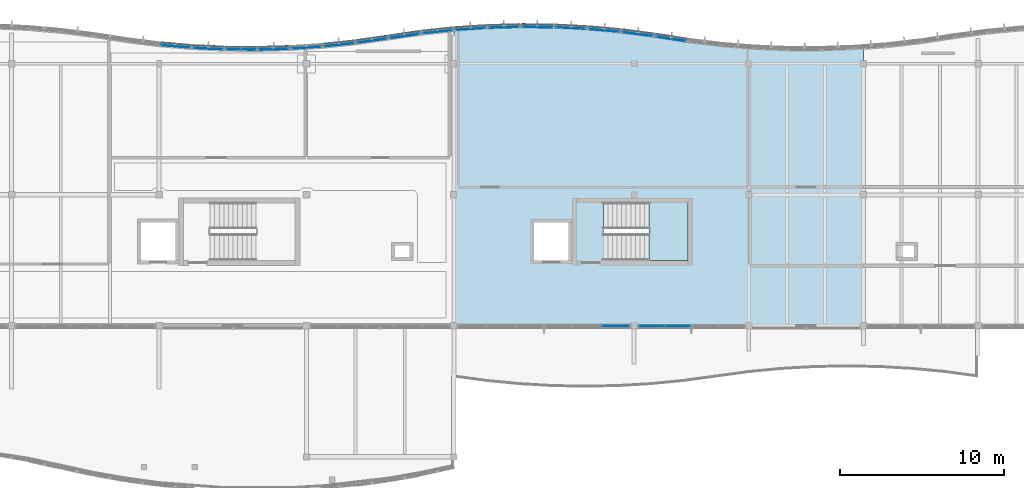
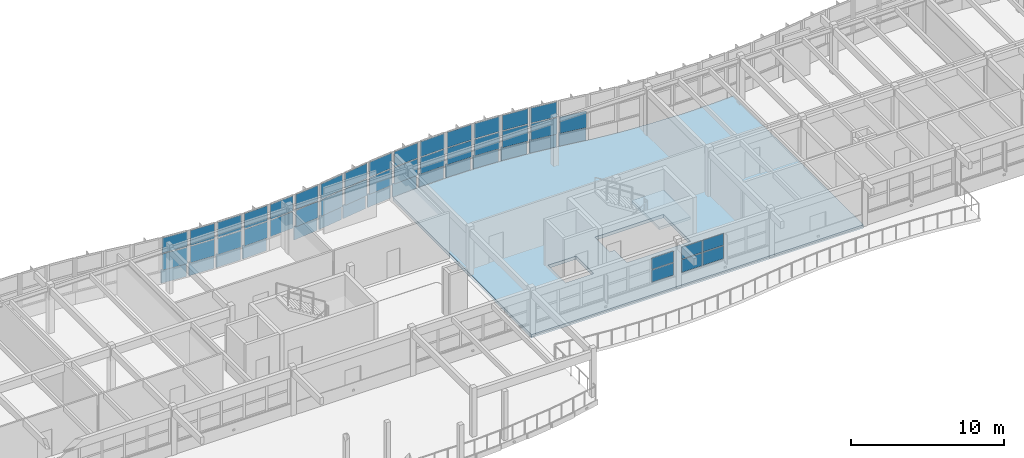
# One storey, part 34 of 63: 52 plates, 2 slabs, 19 elements without a shape of their own.
"""IFC4 building model written with IfcOpenShell, lengths in metres."""

from ifc_helpers import new_model, si_unit, direction, frame, origin, origin_2d, place, context, subcontext, project, spatial, polyline, rectangle, outline, extrude, material, layer, layer_set, type_object, element, aggregate, save


model = new_model("IFC4")

# Units and contexts
model_context = context("Model", 3, precision=1e-05, world=origin(), true_north=direction((0.0, 1.0)))
body_context = subcontext(model_context, "Body", "Model", "MODEL_VIEW")
ifc_project = project(units=[si_unit("LENGTHUNIT", "METRE"), si_unit("AREAUNIT", "SQUARE_METRE"), si_unit("VOLUMEUNIT", "CUBIC_METRE"), si_unit("PLANEANGLEUNIT", "RADIAN"), si_unit("MASSUNIT", "GRAM", prefix="KILO")], contexts=[model_context])

# Site, building, storey
site_placement = place(None, origin())
site = spatial("IfcSite", under=ifc_project, at=site_placement, CompositionType="ELEMENT")
building_placement = place(site_placement, origin())
building = spatial("IfcBuilding", under=site, at=building_placement, Name="Tonlespit Floodbar School", CompositionType="ELEMENT")
storey_placement = place(building_placement, frame((0.0, 0.0, 8.39990234375)))
storey = spatial("IfcBuildingStorey", under=building, at=storey_placement, Name="L02", CompositionType="ELEMENT", Elevation=8.39990234375)

# Curtain wall, plates
ifc_material_1 = material(Name="Anodised Aluminium", Category="aluminium")
ifc_layer_1 = layer(ifc_material_1, 0.159912109375)
ifc_layer_set_1 = layer_set([ifc_layer_1], Name="Anodised Aluminium")
curtain_wall_type_1 = type_object("IfcCurtainWallType", Name="CurtainWall_1950x2700", PredefinedType="NOTDEFINED", material=ifc_layer_set_1)
curtain_wall_1_placement = place(storey_placement, origin())
curtain_wall_1 = element("IfcCurtainWall", 1, at=curtain_wall_1_placement, inside=storey, type_object=curtain_wall_type_1, Name="L02 unitised curtain wall 0109", PredefinedType="NOTDEFINED")
ifc_material_2 = material(Name="Laminated Low-E Glass", Category="glass")
ifc_layer_2 = layer(ifc_material_2, 0.028076171875)
ifc_layer_set_2 = layer_set([ifc_layer_2], Name="Laminated Low-E Glass")
plate_type_1 = type_object("IfcPlateType", Name="CW_Panel_Glaz_28", PredefinedType="CURTAIN_PANEL", material=ifc_layer_set_2)
plate_1_placement = place(storey_placement, frame((99.0, 121.055419921875, 1.01513671875), z_axis=(0.0, 0.0, 1.0), x_axis=(0.996249148412, -0.086531117454, 0.0)))
plate_1 = element("IfcPlate", 2, at=plate_1_placement, type_object=plate_type_1, Name="CW-04 panel 1.1", PredefinedType="CURTAIN_PANEL", context=body_context, shape_type="SweptSolid", body=[
    extrude(rectangle(XDim=1.797607421875, YDim=0.028076171875, at=origin_2d()), origin(), (0.0, 0.0, 1.0), 1.306396484375),
])
plate_2_placement = place(storey_placement, frame((99.0, 121.055419921875, 2.38671875), z_axis=(0.0, 0.0, 1.0), x_axis=(0.996249148412, -0.086531117454, 0.0)))
plate_2 = element("IfcPlate", 3, at=plate_2_placement, type_object=plate_type_1, Name="CW-04 panel 1.2", PredefinedType="CURTAIN_PANEL", context=body_context, shape_type="SweptSolid", body=[
    extrude(rectangle(XDim=1.797607421875, YDim=0.028076171875, at=origin_2d()), origin(), (0.0, 0.0, 1.0), 1.198486328125),
])
aggregate(curtain_wall_1, [plate_1, plate_2])

ifc_layer_3 = layer(ifc_material_1, 0.159912109375)
ifc_layer_set_3 = layer_set([ifc_layer_3], Name="Anodised Aluminium")
curtain_wall_type_2 = type_object("IfcCurtainWallType", Name="CurtainWall_1900x2700", PredefinedType="NOTDEFINED", material=ifc_layer_set_3)
curtain_wall_2_placement = place(storey_placement, origin())
curtain_wall_2 = element("IfcCurtainWall", 4, at=curtain_wall_2_placement, inside=storey, type_object=curtain_wall_type_2, Name="L02 unitised curtain wall 0113", PredefinedType="NOTDEFINED")
plate_3_placement = place(storey_placement, frame((107.0, 120.978271484375, 1.01513671875), z_axis=(0.0, 0.0, 1.0), x_axis=(0.99773010165, 0.067339767311, 0.0)))
plate_3 = element("IfcPlate", 5, at=plate_3_placement, type_object=plate_type_1, Name="CW-05 panel 1.1", PredefinedType="CURTAIN_PANEL", context=body_context, shape_type="SweptSolid", body=[
    extrude(rectangle(XDim=1.794677734375, YDim=0.028076171875, at=origin_2d()), origin(), (0.0, 0.0, 1.0), 1.306396484375),
])
plate_4_placement = place(storey_placement, frame((107.0, 120.978271484375, 2.38671875), z_axis=(0.0, 0.0, 1.0), x_axis=(0.99773010165, 0.067339767311, 0.0)))
plate_4 = element("IfcPlate", 6, at=plate_4_placement, type_object=plate_type_1, Name="CW-05 panel 1.2", PredefinedType="CURTAIN_PANEL", context=body_context, shape_type="SweptSolid", body=[
    extrude(rectangle(XDim=1.794677734375, YDim=0.028076171875, at=origin_2d()), origin(), (0.0, 0.0, 1.0), 1.198486328125),
])
aggregate(curtain_wall_2, [plate_3, plate_4])

curtain_wall_3_placement = place(storey_placement, origin())
curtain_wall_3 = element("IfcCurtainWall", 7, at=curtain_wall_3_placement, inside=storey, type_object=curtain_wall_type_1, Name="L02 unitised curtain wall 0117", PredefinedType="NOTDEFINED")
plate_5_placement = place(storey_placement, frame((115.0, 121.947998046875, 1.01513671875), z_axis=(0.0, 0.0, 1.0), x_axis=(0.994388797288, 0.105787143968, 0.0)))
plate_5 = element("IfcPlate", 8, at=plate_5_placement, type_object=plate_type_1, Name="CW-04 panel 1.1", PredefinedType="CURTAIN_PANEL", context=body_context, shape_type="SweptSolid", body=[
    extrude(rectangle(XDim=1.80126953125, YDim=0.028076171875, at=origin_2d()), origin(), (0.0, 0.0, 1.0), 1.306396484375),
])
plate_6_placement = place(storey_placement, frame((115.0, 121.947998046875, 2.38671875), z_axis=(0.0, 0.0, 1.0), x_axis=(0.994388797288, 0.105787143968, 0.0)))
plate_6 = element("IfcPlate", 9, at=plate_6_placement, type_object=plate_type_1, Name="CW-04 panel 1.2", PredefinedType="CURTAIN_PANEL", context=body_context, shape_type="SweptSolid", body=[
    extrude(rectangle(XDim=1.80126953125, YDim=0.028076171875, at=origin_2d()), origin(), (0.0, 0.0, 1.0), 1.198486328125),
])
aggregate(curtain_wall_3, [plate_5, plate_6])

curtain_wall_4_placement = place(storey_placement, origin())
curtain_wall_4 = element("IfcCurtainWall", 10, at=curtain_wall_4_placement, inside=storey, type_object=curtain_wall_type_1, Name="L02 unitised curtain wall 0417", PredefinedType="NOTDEFINED")
plate_7_placement = place(storey_placement, frame((123.134521484375, 122.172607421875, 1.01513671875), z_axis=(0.0, 0.0, 1.0), x_axis=(0.998714673891, -0.05068530511, 0.0)))
plate_7 = element("IfcPlate", 11, at=plate_7_placement, type_object=plate_type_1, Name="CW-04 panel 1.1", PredefinedType="CURTAIN_PANEL", context=body_context, shape_type="SweptSolid", body=[
    extrude(rectangle(XDim=1.8310546875, YDim=0.028076171875, at=origin_2d()), origin(), (0.0, 0.0, 1.0), 1.306396484375),
])
plate_8_placement = place(storey_placement, frame((123.134521484375, 122.172607421875, 2.38671875), z_axis=(0.0, 0.0, 1.0), x_axis=(0.998714673891, -0.05068530511, 0.0)))
plate_8 = element("IfcPlate", 12, at=plate_8_placement, type_object=plate_type_1, Name="CW-04 panel 1.2", PredefinedType="CURTAIN_PANEL", context=body_context, shape_type="SweptSolid", body=[
    extrude(rectangle(XDim=1.8310546875, YDim=0.028076171875, at=origin_2d()), origin(), (0.0, 0.0, 1.0), 1.198486328125),
])
aggregate(curtain_wall_4, [plate_7, plate_8])

ifc_layer_4 = layer(ifc_material_1, 0.159912109375)
ifc_layer_set_4 = layer_set([ifc_layer_4], Name="Anodised Aluminium")
curtain_wall_type_3 = type_object("IfcCurtainWallType", Name="CurtainWall_10500x2050", PredefinedType="NOTDEFINED", material=ifc_layer_set_4)
curtain_wall_5_placement = place(storey_placement, origin())
curtain_wall_5 = element("IfcCurtainWall", 13, at=curtain_wall_5_placement, inside=storey, type_object=curtain_wall_type_3, Name="L02 unitised curtain wall 0445", PredefinedType="NOTDEFINED")
plate_9_placement = place(storey_placement, frame((125.8671875, 104.0, 1.01513671875), z_axis=(0.0, 0.0, 1.0), x_axis=(-1.0, 0.0, 0.0)))
plate_9 = element("IfcPlate", 14, at=plate_9_placement, type_object=plate_type_1, Name="CW-68 panel 1.1", PredefinedType="CURTAIN_PANEL", context=body_context, shape_type="SweptSolid", body=[
    extrude(rectangle(XDim=1.65576171875, YDim=0.028076171875, at=origin_2d()), origin(), (0.0, 0.0, 1.0), 0.97119140625),
])
plate_10_placement = place(storey_placement, frame((125.8671875, 104.0, 2.05126953125), z_axis=(0.0, 0.0, 1.0), x_axis=(-1.0, 0.0, 0.0)))
plate_10 = element("IfcPlate", 15, at=plate_10_placement, type_object=plate_type_1, Name="CW-68 panel 1.2", PredefinedType="CURTAIN_PANEL", context=body_context, shape_type="SweptSolid", body=[
    extrude(rectangle(XDim=1.65576171875, YDim=0.028076171875, at=origin_2d()), origin(), (0.0, 0.0, 1.0), 0.888916015625),
])
aggregate(curtain_wall_5, [plate_9, plate_10])

curtain_wall_6_placement = place(storey_placement, origin())
curtain_wall_6 = element("IfcCurtainWall", 16, at=curtain_wall_6_placement, inside=storey, type_object=curtain_wall_type_2, Name="L02 unitised curtain wall 0110", PredefinedType="NOTDEFINED")
ifc_layer_5 = layer(ifc_material_2, 0.031982421875)
ifc_layer_set_5 = layer_set([ifc_layer_5], Name="Laminated Low-E Glass")
plate_type_2 = type_object("IfcPlateType", Name="CW_Panel_Glaz_32", PredefinedType="CURTAIN_PANEL", material=ifc_layer_set_5)
plate_11_placement = place(storey_placement, frame((101.0, 120.92041015625, 1.01513671875), z_axis=(0.0, 0.0, 1.0), x_axis=(0.998841500616, -0.048121270216, 0.0)))
plate_11 = element("IfcPlate", 17, at=plate_11_placement, type_object=plate_type_2, Name="CW-05 panel 1.1", PredefinedType="CURTAIN_PANEL", context=body_context, shape_type="SweptSolid", body=[
    extrude(rectangle(XDim=1.792236328125, YDim=0.031982421875, at=origin_2d()), origin(), (0.0, 0.0, 1.0), 1.306396484375),
])
plate_12_placement = place(storey_placement, frame((101.0, 120.92041015625, 2.38671875), z_axis=(0.0, 0.0, 1.0), x_axis=(0.998841500616, -0.048121270216, 0.0)))
plate_12 = element("IfcPlate", 18, at=plate_12_placement, type_object=plate_type_2, Name="CW-05 panel 1.2", PredefinedType="CURTAIN_PANEL", context=body_context, shape_type="SweptSolid", body=[
    extrude(rectangle(XDim=1.792236328125, YDim=0.031982421875, at=origin_2d()), origin(), (0.0, 0.0, 1.0), 1.198486328125),
])
aggregate(curtain_wall_6, [plate_11, plate_12])

curtain_wall_7_placement = place(storey_placement, origin())
curtain_wall_7 = element("IfcCurtainWall", 19, at=curtain_wall_7_placement, inside=storey, type_object=curtain_wall_type_1, Name="L02 unitised curtain wall 0114", PredefinedType="NOTDEFINED")
plate_13_placement = place(storey_placement, frame((109.0, 121.152099609375, 1.01513671875), z_axis=(0.0, 0.0, 1.0), x_axis=(0.994388797288, 0.105787143968, 0.0)))
plate_13 = element("IfcPlate", 20, at=plate_13_placement, type_object=plate_type_2, Name="CW-04 panel 1.1", PredefinedType="CURTAIN_PANEL", context=body_context, shape_type="SweptSolid", body=[
    extrude(rectangle(XDim=1.80126953125, YDim=0.031982421875, at=origin_2d()), origin(), (0.0, 0.0, 1.0), 1.306396484375),
])
plate_14_placement = place(storey_placement, frame((109.0, 121.152099609375, 2.38671875), z_axis=(0.0, 0.0, 1.0), x_axis=(0.994388797288, 0.105787143968, 0.0)))
plate_14 = element("IfcPlate", 21, at=plate_14_placement, type_object=plate_type_2, Name="CW-04 panel 1.2", PredefinedType="CURTAIN_PANEL", context=body_context, shape_type="SweptSolid", body=[
    extrude(rectangle(XDim=1.80126953125, YDim=0.031982421875, at=origin_2d()), origin(), (0.0, 0.0, 1.0), 1.198486328125),
])
aggregate(curtain_wall_7, [plate_13, plate_14])

curtain_wall_8_placement = place(storey_placement, origin())
curtain_wall_8 = element("IfcCurtainWall", 22, at=curtain_wall_8_placement, inside=storey, type_object=curtain_wall_type_1, Name="L02 unitised curtain wall 0414", PredefinedType="NOTDEFINED")
plate_15_placement = place(storey_placement, frame((117.019287109375, 122.122802734375, 1.01513671875), z_axis=(0.0, 0.0, 1.0), x_axis=(0.997757347336, 0.066934862638, 0.0)))
plate_15 = element("IfcPlate", 23, at=plate_15_placement, type_object=plate_type_2, Name="CW-04 panel 1.1", PredefinedType="CURTAIN_PANEL", context=body_context, shape_type="SweptSolid", body=[
    extrude(rectangle(XDim=1.8330078125, YDim=0.031982421875, at=origin_2d()), origin(), (0.0, 0.0, 1.0), 1.306396484375),
])
plate_16_placement = place(storey_placement, frame((117.019287109375, 122.122802734375, 2.38671875), z_axis=(0.0, 0.0, 1.0), x_axis=(0.997757347336, 0.066934862638, 0.0)))
plate_16 = element("IfcPlate", 24, at=plate_16_placement, type_object=plate_type_2, Name="CW-04 panel 1.2", PredefinedType="CURTAIN_PANEL", context=body_context, shape_type="SweptSolid", body=[
    extrude(rectangle(XDim=1.8330078125, YDim=0.031982421875, at=origin_2d()), origin(), (0.0, 0.0, 1.0), 1.198486328125),
])
aggregate(curtain_wall_8, [plate_15, plate_16])

curtain_wall_9_placement = place(storey_placement, origin())
curtain_wall_9 = element("IfcCurtainWall", 25, at=curtain_wall_9_placement, inside=storey, type_object=curtain_wall_type_1, Name="L02 unitised curtain wall 0418", PredefinedType="NOTDEFINED")
plate_17_placement = place(storey_placement, frame((125.173095703125, 122.02880859375, 1.01513671875), z_axis=(0.0, 0.0, 1.0), x_axis=(0.99595175719, -0.089889361722, 0.0)))
plate_17 = element("IfcPlate", 26, at=plate_17_placement, type_object=plate_type_2, Name="CW-04 panel 1.1", PredefinedType="CURTAIN_PANEL", context=body_context, shape_type="SweptSolid", body=[
    extrude(rectangle(XDim=1.8369140625, YDim=0.031982421875, at=origin_2d()), origin(), (0.0, 0.0, 1.0), 1.306396484375),
])
plate_18_placement = place(storey_placement, frame((125.173095703125, 122.02880859375, 2.38671875), z_axis=(0.0, 0.0, 1.0), x_axis=(0.99595175719, -0.089889361722, 0.0)))
plate_18 = element("IfcPlate", 27, at=plate_18_placement, type_object=plate_type_2, Name="CW-04 panel 1.2", PredefinedType="CURTAIN_PANEL", context=body_context, shape_type="SweptSolid", body=[
    extrude(rectangle(XDim=1.8369140625, YDim=0.031982421875, at=origin_2d()), origin(), (0.0, 0.0, 1.0), 1.198486328125),
])
aggregate(curtain_wall_9, [plate_17, plate_18])

curtain_wall_10_placement = place(storey_placement, origin())
curtain_wall_10 = element("IfcCurtainWall", 28, at=curtain_wall_10_placement, inside=storey, type_object=curtain_wall_type_2, Name="L02 unitised curtain wall 0111", PredefinedType="NOTDEFINED")
ifc_layer_6 = layer(ifc_material_2, 0.035888671875)
ifc_layer_set_6 = layer_set([ifc_layer_6], Name="Laminated Low-E Glass")
plate_type_3 = type_object("IfcPlateType", Name="CW_Panel_Glaz_36", PredefinedType="CURTAIN_PANEL", material=ifc_layer_set_6)
plate_19_placement = place(storey_placement, frame((103.0, 120.862548828125, 1.01513671875), z_axis=(0.0, 0.0, 1.0), x_axis=(0.999954083024, -0.009582893292, 0.0)))
plate_19 = element("IfcPlate", 29, at=plate_19_placement, type_object=plate_type_3, Name="CW-05 panel 1.1", PredefinedType="CURTAIN_PANEL", context=body_context, shape_type="SweptSolid", body=[
    extrude(rectangle(XDim=1.7900390625, YDim=0.035888671875, at=origin_2d()), origin(), (0.0, 0.0, 1.0), 1.306396484375),
])
plate_20_placement = place(storey_placement, frame((103.0, 120.862548828125, 2.38671875), z_axis=(0.0, 0.0, 1.0), x_axis=(0.999954083024, -0.009582893292, 0.0)))
plate_20 = element("IfcPlate", 30, at=plate_20_placement, type_object=plate_type_3, Name="CW-05 panel 1.2", PredefinedType="CURTAIN_PANEL", context=body_context, shape_type="SweptSolid", body=[
    extrude(rectangle(XDim=1.7900390625, YDim=0.035888671875, at=origin_2d()), origin(), (0.0, 0.0, 1.0), 1.198486328125),
])
aggregate(curtain_wall_10, [plate_19, plate_20])

curtain_wall_11_placement = place(storey_placement, origin())
curtain_wall_11 = element("IfcCurtainWall", 31, at=curtain_wall_11_placement, inside=storey, type_object=curtain_wall_type_1, Name="L02 unitised curtain wall 0115", PredefinedType="NOTDEFINED")
plate_21_placement = place(storey_placement, frame((111.0, 121.404296875, 1.01513671875), z_axis=(0.0, 0.0, 1.0), x_axis=(0.989541561858, 0.144248041079, 0.0)))
plate_21 = element("IfcPlate", 32, at=plate_21_placement, type_object=plate_type_3, Name="CW-04 panel 1.1", PredefinedType="CURTAIN_PANEL", context=body_context, shape_type="SweptSolid", body=[
    extrude(rectangle(XDim=1.81103515625, YDim=0.035888671875, at=origin_2d()), origin(), (0.0, 0.0, 1.0), 1.306396484375),
])
plate_22_placement = place(storey_placement, frame((111.0, 121.404296875, 2.38671875), z_axis=(0.0, 0.0, 1.0), x_axis=(0.989541561858, 0.144248041079, 0.0)))
plate_22 = element("IfcPlate", 33, at=plate_22_placement, type_object=plate_type_3, Name="CW-04 panel 1.2", PredefinedType="CURTAIN_PANEL", context=body_context, shape_type="SweptSolid", body=[
    extrude(rectangle(XDim=1.81103515625, YDim=0.035888671875, at=origin_2d()), origin(), (0.0, 0.0, 1.0), 1.198486328125),
])
aggregate(curtain_wall_11, [plate_21, plate_22])

curtain_wall_12_placement = place(storey_placement, origin())
curtain_wall_12 = element("IfcCurtainWall", 34, at=curtain_wall_12_placement, inside=storey, type_object=curtain_wall_type_1, Name="L02 unitised curtain wall 0415", PredefinedType="NOTDEFINED")
plate_23_placement = place(storey_placement, frame((119.0576171875, 122.219482421875, 1.01513671875), z_axis=(0.0, 0.0, 1.0), x_axis=(0.999614420653, 0.027767067237, 0.0)))
plate_23 = element("IfcPlate", 35, at=plate_23_placement, type_object=plate_type_3, Name="CW-04 panel 1.1", PredefinedType="CURTAIN_PANEL", context=body_context, shape_type="SweptSolid", body=[
    extrude(rectangle(XDim=1.8291015625, YDim=0.035888671875, at=origin_2d()), origin(), (0.0, 0.0, 1.0), 1.306396484375),
])
plate_24_placement = place(storey_placement, frame((119.0576171875, 122.219482421875, 2.38671875), z_axis=(0.0, 0.0, 1.0), x_axis=(0.999614420653, 0.027767067237, 0.0)))
plate_24 = element("IfcPlate", 36, at=plate_24_placement, type_object=plate_type_3, Name="CW-04 panel 1.2", PredefinedType="CURTAIN_PANEL", context=body_context, shape_type="SweptSolid", body=[
    extrude(rectangle(XDim=1.8291015625, YDim=0.035888671875, at=origin_2d()), origin(), (0.0, 0.0, 1.0), 1.198486328125),
])
aggregate(curtain_wall_12, [plate_23, plate_24])

ifc_layer_7 = layer(ifc_material_1, 0.159912109375)
ifc_layer_set_7 = layer_set([ifc_layer_7], Name="Anodised Aluminium")
curtain_wall_type_4 = type_object("IfcCurtainWallType", Name="CurtainWall_2000x2700", PredefinedType="NOTDEFINED", material=ifc_layer_set_7)
curtain_wall_13_placement = place(storey_placement, origin())
curtain_wall_13 = element("IfcCurtainWall", 37, at=curtain_wall_13_placement, inside=storey, type_object=curtain_wall_type_4, Name="L02 unitised curtain wall 0419", PredefinedType="NOTDEFINED")
plate_25_placement = place(storey_placement, frame((127.211669921875, 121.80419921875, 1.01513671875), z_axis=(0.0, 0.0, 1.0), x_axis=(0.991635092239, -0.129073017473, 0.0)))
plate_25 = element("IfcPlate", 38, at=plate_25_placement, type_object=plate_type_3, Name="CW-65 panel 1.1", PredefinedType="CURTAIN_PANEL", context=body_context, shape_type="SweptSolid", body=[
    extrude(rectangle(XDim=1.845703125, YDim=0.035888671875, at=origin_2d()), origin(), (0.0, 0.0, 1.0), 1.306396484375),
])
plate_26_placement = place(storey_placement, frame((127.211669921875, 121.80419921875, 2.38671875), z_axis=(0.0, 0.0, 1.0), x_axis=(0.991635092239, -0.129073017473, 0.0)))
plate_26 = element("IfcPlate", 39, at=plate_26_placement, type_object=plate_type_3, Name="CW-65 panel 1.2", PredefinedType="CURTAIN_PANEL", context=body_context, shape_type="SweptSolid", body=[
    extrude(rectangle(XDim=1.845703125, YDim=0.035888671875, at=origin_2d()), origin(), (0.0, 0.0, 1.0), 1.198486328125),
])
aggregate(curtain_wall_13, [plate_25, plate_26])

curtain_wall_14_placement = place(storey_placement, origin())
curtain_wall_14 = element("IfcCurtainWall", 40, at=curtain_wall_14_placement, inside=storey, type_object=curtain_wall_type_2, Name="L02 unitised curtain wall 0112", PredefinedType="NOTDEFINED")
ifc_layer_8 = layer(ifc_material_2, 0.0419921875)
ifc_layer_set_8 = layer_set([ifc_layer_8], Name="Laminated Low-E Glass")
plate_type_4 = type_object("IfcPlateType", Name="CW_Panel_Glaz_42", PredefinedType="CURTAIN_PANEL", material=ifc_layer_set_8)
plate_27_placement = place(storey_placement, frame((105.0, 120.8818359375, 1.01513671875), z_axis=(0.0, 0.0, 1.0), x_axis=(0.999585477883, 0.028790144226, 0.0)))
plate_27 = element("IfcPlate", 41, at=plate_27_placement, type_object=plate_type_4, Name="CW-05 panel 1.1", PredefinedType="CURTAIN_PANEL", context=body_context, shape_type="SweptSolid", body=[
    extrude(rectangle(XDim=1.790771484375, YDim=0.0419921875, at=origin_2d()), origin(), (0.0, 0.0, 1.0), 1.306396484375),
])
plate_28_placement = place(storey_placement, frame((105.0, 120.8818359375, 2.38671875), z_axis=(0.0, 0.0, 1.0), x_axis=(0.999585477883, 0.028790144226, 0.0)))
plate_28 = element("IfcPlate", 42, at=plate_28_placement, type_object=plate_type_4, Name="CW-05 panel 1.2", PredefinedType="CURTAIN_PANEL", context=body_context, shape_type="SweptSolid", body=[
    extrude(rectangle(XDim=1.790771484375, YDim=0.0419921875, at=origin_2d()), origin(), (0.0, 0.0, 1.0), 1.198486328125),
])
aggregate(curtain_wall_14, [plate_27, plate_28])

curtain_wall_15_placement = place(storey_placement, origin())
curtain_wall_15 = element("IfcCurtainWall", 43, at=curtain_wall_15_placement, inside=storey, type_object=curtain_wall_type_1, Name="L02 unitised curtain wall 0116", PredefinedType="NOTDEFINED")
plate_29_placement = place(storey_placement, frame((113.0, 121.69580078125, 1.01513671875), z_axis=(0.0, 0.0, 1.0), x_axis=(0.989541561858, 0.144248041079, 0.0)))
plate_29 = element("IfcPlate", 44, at=plate_29_placement, type_object=plate_type_4, Name="CW-04 panel 1.1", PredefinedType="CURTAIN_PANEL", context=body_context, shape_type="SweptSolid", body=[
    extrude(rectangle(XDim=1.81103515625, YDim=0.0419921875, at=origin_2d()), origin(), (0.0, 0.0, 1.0), 1.306396484375),
])
plate_30_placement = place(storey_placement, frame((113.0, 121.69580078125, 2.38671875), z_axis=(0.0, 0.0, 1.0), x_axis=(0.989541561858, 0.144248041079, 0.0)))
plate_30 = element("IfcPlate", 45, at=plate_30_placement, type_object=plate_type_4, Name="CW-04 panel 1.2", PredefinedType="CURTAIN_PANEL", context=body_context, shape_type="SweptSolid", body=[
    extrude(rectangle(XDim=1.81103515625, YDim=0.0419921875, at=origin_2d()), origin(), (0.0, 0.0, 1.0), 1.198486328125),
])
aggregate(curtain_wall_15, [plate_29, plate_30])

curtain_wall_16_placement = place(storey_placement, origin())
curtain_wall_16 = element("IfcCurtainWall", 46, at=curtain_wall_16_placement, inside=storey, type_object=curtain_wall_type_1, Name="L02 unitised curtain wall 0416", PredefinedType="NOTDEFINED")
plate_31_placement = place(storey_placement, frame((121.09619140625, 122.236083984375, 1.01513671875), z_axis=(0.0, 0.0, 1.0), x_axis=(0.999934600221, -0.011436576488, 0.0)))
plate_31 = element("IfcPlate", 47, at=plate_31_placement, type_object=plate_type_4, Name="CW-04 panel 1.1", PredefinedType="CURTAIN_PANEL", context=body_context, shape_type="SweptSolid", body=[
    extrude(rectangle(XDim=1.82861328125, YDim=0.0419921875, at=origin_2d()), origin(), (0.0, 0.0, 1.0), 1.306396484375),
])
plate_32_placement = place(storey_placement, frame((121.09619140625, 122.236083984375, 2.38671875), z_axis=(0.0, 0.0, 1.0), x_axis=(0.999934600221, -0.011436576488, 0.0)))
plate_32 = element("IfcPlate", 48, at=plate_32_placement, type_object=plate_type_4, Name="CW-04 panel 1.2", PredefinedType="CURTAIN_PANEL", context=body_context, shape_type="SweptSolid", body=[
    extrude(rectangle(XDim=1.82861328125, YDim=0.0419921875, at=origin_2d()), origin(), (0.0, 0.0, 1.0), 1.198486328125),
])
aggregate(curtain_wall_16, [plate_31, plate_32])

# Curtain wall, plate
curtain_wall_17_placement = place(storey_placement, origin())
curtain_wall_17 = element("IfcCurtainWall", 49, at=curtain_wall_17_placement, inside=storey, type_object=curtain_wall_type_4, Name="L02 unitised curtain wall 0420", PredefinedType="NOTDEFINED")
plate_33_placement = place(storey_placement, frame((129.25, 121.513671875, 1.01513671875), z_axis=(0.0, 0.0, 1.0), x_axis=(0.988215502923, -0.153069003339, 0.0)))
plate_33 = element("IfcPlate", 50, at=plate_33_placement, type_object=plate_type_4, Name="CW-65 panel 1.1", PredefinedType="CURTAIN_PANEL", context=body_context, shape_type="SweptSolid", body=[
    extrude(rectangle(XDim=1.852783203125, YDim=0.0419921875, at=origin_2d()), origin(), (0.0, 0.0, 1.0), 1.306396484375),
])
aggregate(curtain_wall_17, [plate_33])

# Curtain wall, plates
ifc_layer_9 = layer(ifc_material_1, 0.159912109375)
ifc_layer_set_9 = layer_set([ifc_layer_9], Name="Anodised Aluminium")
curtain_wall_type_5 = type_object("IfcCurtainWallType", Name="CurtainWall_6500x2150", PredefinedType="NOTDEFINED", material=ifc_layer_set_9)
curtain_wall_18_placement = place(storey_placement, origin())
curtain_wall_18 = element("IfcCurtainWall", 51, at=curtain_wall_18_placement, inside=storey, type_object=curtain_wall_type_5, Name="L02 unitised curtain wall 0444", PredefinedType="NOTDEFINED")
plate_34_placement = place(storey_placement, frame((129.68505859375, 104.0, 1.01513671875), z_axis=(0.0, 0.0, 1.0), x_axis=(-1.0, 0.0, 0.0)))
plate_34 = element("IfcPlate", 52, at=plate_34_placement, type_object=plate_type_4, Name="CW-67 panel 3.1", PredefinedType="CURTAIN_PANEL", context=body_context, shape_type="SweptSolid", body=[
    extrude(rectangle(XDim=1.56494140625, YDim=0.0419921875, at=origin_2d()), origin(), (0.0, 0.0, 1.0), 1.0126953125),
])
plate_35_placement = place(storey_placement, frame((129.68505859375, 104.0, 2.0927734375), z_axis=(0.0, 0.0, 1.0), x_axis=(-1.0, 0.0, 0.0)))
plate_35 = element("IfcPlate", 53, at=plate_35_placement, type_object=plate_type_4, Name="CW-67 panel 3.2", PredefinedType="CURTAIN_PANEL", context=body_context, shape_type="SweptSolid", body=[
    extrude(rectangle(XDim=1.56494140625, YDim=0.0419921875, at=origin_2d()), origin(), (0.0, 0.0, 1.0), 0.92724609375),
])
plate_36_placement = place(storey_placement, frame((128.0712890625, 104.0, 1.01513671875), z_axis=(0.0, 0.0, 1.0), x_axis=(-1.0, 0.0, 0.0)))
plate_36 = element("IfcPlate", 54, at=plate_36_placement, type_object=plate_type_4, Name="CW-67 panel 4.1", PredefinedType="CURTAIN_PANEL", context=body_context, shape_type="SweptSolid", body=[
    extrude(rectangle(XDim=1.532470703125, YDim=0.0419921875, at=origin_2d()), origin(), (0.0, 0.0, 1.0), 1.0126953125),
])
plate_37_placement = place(storey_placement, frame((128.0712890625, 104.0, 2.0927734375), z_axis=(0.0, 0.0, 1.0), x_axis=(-1.0, 0.0, 0.0)))
plate_37 = element("IfcPlate", 55, at=plate_37_placement, type_object=plate_type_4, Name="CW-67 panel 4.2", PredefinedType="CURTAIN_PANEL", context=body_context, shape_type="SweptSolid", body=[
    extrude(rectangle(XDim=1.532470703125, YDim=0.0419921875, at=origin_2d()), origin(), (0.0, 0.0, 1.0), 0.92724609375),
])
aggregate(curtain_wall_18, [plate_34, plate_35, plate_36, plate_37])

# Plates
ifc_material_3 = material(Name="White Architectural Aluminium", Category="aluminium")
ifc_layer_10 = layer(ifc_material_3, 0.06494140625)
ifc_layer_set_10 = layer_set([ifc_layer_10], Name="White Architectural Aluminium")
plate_type_5 = type_object("IfcPlateType", Name="FacadeRibbon_White_65", PredefinedType="SHEET", material=ifc_layer_set_10)
plate_38_placement = place(storey_placement, frame((99.015869140625, 121.23681640625, -0.1201171875), z_axis=(0.0, 0.0, 1.0), x_axis=(0.996245486492, -0.086573267488, 0.0)))
element("IfcPlate", 56, at=plate_38_placement, inside=storey, type_object=plate_type_5, Name="L02 flowing white street spandrel ribbon 0158", PredefinedType="SHEET", context=body_context, shape_type="SweptSolid", body=[
    extrude(rectangle(XDim=1.847412109375, YDim=0.06494140625, at=origin_2d()), origin(), (0.0, 0.0, 1.0), 1.070068359375),
])
plate_39_placement = place(storey_placement, frame((101.0087890625, 121.10205078125, -0.1201171875), z_axis=(0.0, 0.0, 1.0), x_axis=(0.998842769234, -0.048094930587, 0.0)))
element("IfcPlate", 57, at=plate_39_placement, inside=storey, type_object=plate_type_5, Name="L02 flowing white street spandrel ribbon 0159", PredefinedType="SHEET", context=body_context, shape_type="SweptSolid", body=[
    extrude(rectangle(XDim=1.84228515625, YDim=0.06494140625, at=origin_2d()), origin(), (0.0, 0.0, 1.0), 1.070068359375),
])
plate_40_placement = place(storey_placement, frame((103.001708984375, 121.044677734375, -0.1201171875), z_axis=(0.0, 0.0, 1.0), x_axis=(0.999953926969, -0.009599163462, 0.0)))
element("IfcPlate", 58, at=plate_40_placement, inside=storey, type_object=plate_type_5, Name="L02 flowing white street spandrel ribbon 0160", PredefinedType="SHEET", context=body_context, shape_type="SweptSolid", body=[
    extrude(rectangle(XDim=1.840087890625, YDim=0.06494140625, at=origin_2d()), origin(), (0.0, 0.0, 1.0), 1.070068359375),
])
plate_41_placement = place(storey_placement, frame((104.994873046875, 121.063720703125, -0.1201171875), z_axis=(0.0, 0.0, 1.0), x_axis=(0.999584110869, 0.02883756748, 0.0)))
element("IfcPlate", 59, at=plate_41_placement, inside=storey, type_object=plate_type_5, Name="L02 flowing white street spandrel ribbon 0161", PredefinedType="SHEET", context=body_context, shape_type="SweptSolid", body=[
    extrude(rectangle(XDim=1.8408203125, YDim=0.06494140625, at=origin_2d()), origin(), (0.0, 0.0, 1.0), 1.070068359375),
])
plate_42_placement = place(storey_placement, frame((108.980712890625, 121.3330078125, -0.1201171875), z_axis=(0.0, 0.0, 1.0), x_axis=(0.99439234017, 0.105753835922, 0.0)))
element("IfcPlate", 60, at=plate_42_placement, inside=storey, type_object=plate_type_5, Name="L02 flowing white street spandrel ribbon 0163", PredefinedType="SHEET", context=body_context, shape_type="SweptSolid", body=[
    extrude(rectangle(XDim=1.851318359375, YDim=0.06494140625, at=origin_2d()), origin(), (0.0, 0.0, 1.0), 1.070068359375),
])
for number, where, z_axis, x_axis, name in (
    (61, (110.9736328125, 121.584228515625, -0.1201171875), (0.0, 0.0, 1.0), (0.989537627347, 0.144275029245, 0.0), "L02 flowing white street spandrel ribbon 0164"),
    (62, (112.9736328125, 121.8759765625, -0.1201171875), (0.0, 0.0, 1.0), (0.989537627347, 0.144275029245, 0.0), "L02 flowing white street spandrel ribbon 0165"),
):
    element("IfcPlate", number, at=place(storey_placement, frame(where, z_axis=z_axis, x_axis=x_axis)), inside=storey, type_object=plate_type_5, Name=name, PredefinedType="SHEET", context=body_context, shape_type="SweptSolid", body=[
        extrude(rectangle(XDim=1.861083984375, YDim=0.06494140625, at=origin_2d()), origin(), (0.0, 0.0, 1.0), 1.070068359375),
    ])
plate_43_placement = place(storey_placement, frame((114.980712890625, 122.12890625, -0.1201171875), z_axis=(0.0, 0.0, 1.0), x_axis=(0.99439234017, 0.105753835922, 0.0)))
element("IfcPlate", 63, at=plate_43_placement, inside=storey, type_object=plate_type_5, Name="L02 flowing white street spandrel ribbon 0166", PredefinedType="SHEET", context=body_context, shape_type="SweptSolid", body=[
    extrude(rectangle(XDim=1.851318359375, YDim=0.06494140625, at=origin_2d()), origin(), (0.0, 0.0, 1.0), 1.070068359375),
])
plate_44_placement = place(storey_placement, frame((117.007080078125, 122.30419921875, -0.1201171875), z_axis=(0.0, 0.0, 1.0), x_axis=(0.997755775351, 0.066958291148, 0.0)))
element("IfcPlate", 64, at=plate_44_placement, inside=storey, type_object=plate_type_5, Name="L02 flowing white street spandrel ribbon 0664", PredefinedType="SHEET", context=body_context, shape_type="SweptSolid", body=[
    extrude(rectangle(XDim=1.883056640625, YDim=0.06494140625, at=origin_2d()), origin(), (0.0, 0.0, 1.0), 1.070068359375),
])
plate_45_placement = place(storey_placement, frame((119.052490234375, 122.4013671875, -0.1201171875), z_axis=(0.0, 0.0, 1.0), x_axis=(0.999614730883, 0.027755896707, 0.0)))
element("IfcPlate", 65, at=plate_45_placement, inside=storey, type_object=plate_type_5, Name="L02 flowing white street spandrel ribbon 0665", PredefinedType="SHEET", context=body_context, shape_type="SweptSolid", body=[
    extrude(rectangle(XDim=1.879150390625, YDim=0.06494140625, at=origin_2d()), origin(), (0.0, 0.0, 1.0), 1.070068359375),
])
plate_46_placement = place(storey_placement, frame((121.09814453125, 122.41796875, -0.1201171875), z_axis=(0.0, 0.0, 1.0), x_axis=(0.999934116653, -0.011478778397, 0.0)))
element("IfcPlate", 66, at=plate_46_placement, inside=storey, type_object=plate_type_5, Name="L02 flowing white street spandrel ribbon 0666", PredefinedType="SHEET", context=body_context, shape_type="SweptSolid", body=[
    extrude(rectangle(XDim=1.878662109375, YDim=0.06494140625, at=origin_2d()), origin(), (0.0, 0.0, 1.0), 1.070068359375),
])
plate_47_placement = place(storey_placement, frame((123.143798828125, 122.3544921875, -0.1201171875), z_axis=(0.0, 0.0, 1.0), x_axis=(0.998715911118, -0.05066092063, 0.0)))
element("IfcPlate", 67, at=plate_47_placement, inside=storey, type_object=plate_type_5, Name="L02 flowing white street spandrel ribbon 0667", PredefinedType="SHEET", context=body_context, shape_type="SweptSolid", body=[
    extrude(rectangle(XDim=1.881103515625, YDim=0.06494140625, at=origin_2d()), origin(), (0.0, 0.0, 1.0), 1.070068359375),
])
plate_48_placement = place(storey_placement, frame((125.189453125, 122.210205078125, -0.1201171875), z_axis=(0.0, 0.0, 1.0), x_axis=(0.995951038909, -0.089897319734, 0.0)))
element("IfcPlate", 68, at=plate_48_placement, inside=storey, type_object=plate_type_5, Name="L02 flowing white street spandrel ribbon 0668", PredefinedType="SHEET", context=body_context, shape_type="SweptSolid", body=[
    extrude(rectangle(XDim=1.88671875, YDim=0.06494140625, at=origin_2d()), origin(), (0.0, 0.0, 1.0), 1.070068359375),
])
plate_49_placement = place(storey_placement, frame((127.235107421875, 121.984619140625, -0.1201171875), z_axis=(0.0, 0.0, 1.0), x_axis=(0.99163110178, -0.129103671456, 0.0)))
element("IfcPlate", 69, at=plate_49_placement, inside=storey, type_object=plate_type_5, Name="L02 flowing white street spandrel ribbon 0669", PredefinedType="SHEET", context=body_context, shape_type="SweptSolid", body=[
    extrude(rectangle(XDim=1.895751953125, YDim=0.06494140625, at=origin_2d()), origin(), (0.0, 0.0, 1.0), 1.070068359375),
])
plate_50_placement = place(storey_placement, frame((129.27783203125, 121.693603515625, -0.1201171875), z_axis=(0.0, 0.0, 1.0), x_axis=(0.988218232868, -0.153051377736, 0.0)))
element("IfcPlate", 70, at=plate_50_placement, inside=storey, type_object=plate_type_5, Name="L02 flowing white street spandrel ribbon 0670", PredefinedType="SHEET", context=body_context, shape_type="SweptSolid", body=[
    extrude(rectangle(XDim=1.902587890625, YDim=0.06494140625, at=origin_2d()), origin(), (0.0, 0.0, 1.0), 1.070068359375),
])

# Stair, slab
ifc_material_4 = material(Name="Concrete C40/50", Category="concrete")
stair_type = type_object("IfcStairType", Name="Stair_Core_Upper", PredefinedType="HALF_TURN_STAIR", material=ifc_material_4)
stair_placement = place(storey_placement, origin())
stair = element("IfcStair", 71, at=stair_placement, inside=storey, type_object=stair_type, Name="L02 Core C4 escape stair", PredefinedType="HALF_TURN_STAIR")
ifc_layer_11 = layer(ifc_material_4, 0.199951171875)
ifc_layer_set_11 = layer_set([ifc_layer_11], Name="Concrete C40/50")
slab_type_1 = type_object("IfcSlabType", Name="Landing_Core_RC200", PredefinedType="LANDING", material=ifc_layer_set_11)
slab_1_placement = place(storey_placement, frame((0.0, 0.0, 1.75)))
slab_1 = element("IfcSlab", 72, at=slab_1_placement, type_object=slab_type_1, Name="ST-C4 landing 1", PredefinedType="LANDING", context=body_context, shape_type="SweptSolid", body=[
    extrude(outline(polyline([(127.919921875, 108.0), (130.300048828125, 108.0), (130.300048828125, 111.5400390625), (127.919921875, 111.5400390625), (127.919921875, 108.0)])), origin(), (0.0, 0.0, 1.0), 0.2001953125),
])
aggregate(stair, [slab_1])

# Slab
ifc_material_5 = material(Name="CLT C24", Category="wood")
ifc_layer_12 = layer(ifc_material_5, 0.2548828125)
ifc_layer_set_12 = layer_set([ifc_layer_12], Name="CLT C24")
slab_type_2 = type_object("IfcSlabType", Name="Slab_Floor_CLT_220", PredefinedType="FLOOR", material=ifc_layer_set_12)
slab_2_placement = place(storey_placement, frame((0.0, 0.0, -0.2548828125)))
element("IfcSlab", 73, at=slab_2_placement, inside=storey, type_object=slab_type_2, Name="L02 V4 L02 west library slab", PredefinedType="FLOOR", context=body_context, shape_type="SweptSolid", body=[
    extrude(outline(polyline([(116.0, 104.0), (141.0, 104.0), (141.0, 120.968505859375), (138.916748046875, 120.869873046875), (136.833251953125, 120.85498046875), (134.75, 120.92333984375), (132.666748046875, 121.07568359375), (130.583251953125, 121.3125), (128.5, 121.63037109375), (126.416748046875, 121.91162109375), (124.333251953125, 122.10791015625), (122.25, 122.219970703125), (120.166748046875, 122.248291015625), (118.083251953125, 122.193115234375), (116.0, 122.05419921875), (116.0, 104.0)]), holes=[polyline([(125.5, 108.0), (130.300048828125, 108.0), (130.300048828125, 111.5400390625), (125.14501953125, 111.5400390625), (125.14501953125, 109.6201171875), (125.5, 109.6201171875), (125.5, 108.0)]), polyline([(120.89990234375, 108.0), (123.0, 108.0), (123.0, 110.300048828125), (120.89990234375, 110.300048828125), (120.89990234375, 108.0)])]), origin(), (0.0, 0.0, 1.0), 0.2548828125),
])

save(model, "model.ifc")
